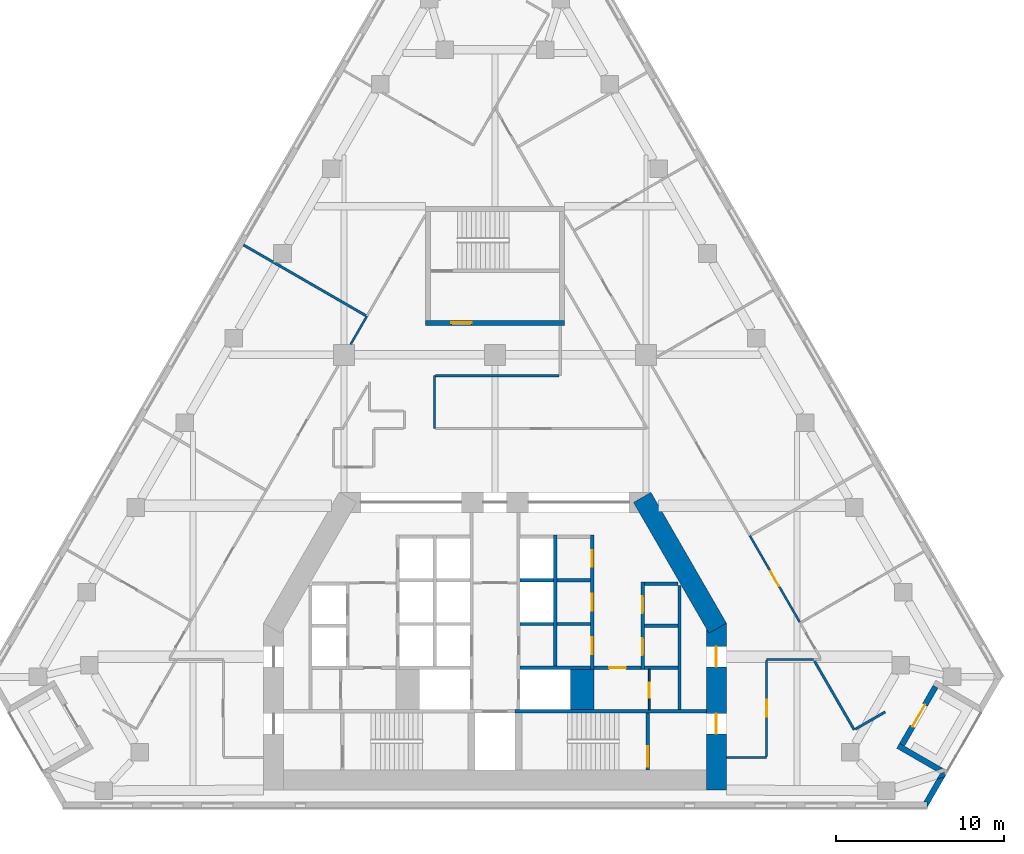
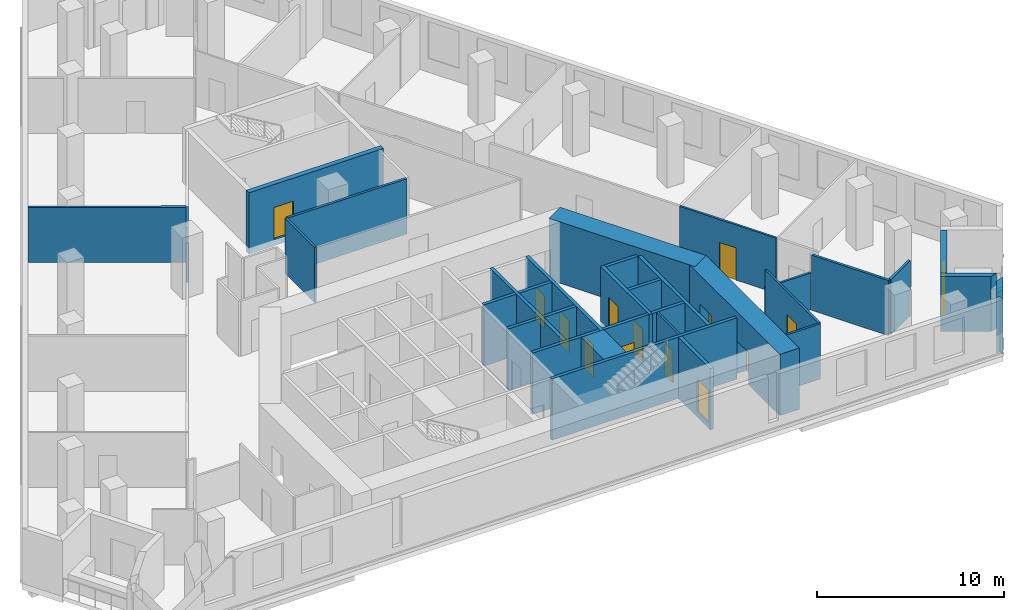
# One storey, part 6 of 10: 34 walls, 14 doors, 14 openings.
"""IFC4 building model written with IfcOpenShell, lengths in metres."""

from ifc_helpers import new_model, si_unit, direction, frame, frame_2d, origin, place, context, subcontext, project, spatial, polyline, rectangle, outline, extrude, material, layer, layer_set, type_object, element, fill, save


model = new_model("IFC4")

# Units and contexts
model_context = context("Model", 3, precision=1e-05, world=origin(), true_north=direction((0.0, 1.0)))
body_context = subcontext(model_context, "Body", "Model", "MODEL_VIEW")
ifc_project = project(units=[si_unit("LENGTHUNIT", "METRE"), si_unit("AREAUNIT", "SQUARE_METRE"), si_unit("VOLUMEUNIT", "CUBIC_METRE"), si_unit("PLANEANGLEUNIT", "RADIAN"), si_unit("MASSUNIT", "GRAM", prefix="KILO")], contexts=[model_context])

# Site, building, storey
site_placement = place(None, origin())
site = spatial("IfcSite", under=ifc_project, at=site_placement, CompositionType="ELEMENT")
building_placement = place(site_placement, origin())
building = spatial("IfcBuilding", under=site, at=building_placement, Name="Fogline Exchange Tower", CompositionType="ELEMENT")
storey_placement = place(building_placement, frame((0.0, 0.0, 108.10009765625)))
storey = spatial("IfcBuildingStorey", under=building, at=storey_placement, Name="L23", CompositionType="ELEMENT", Elevation=108.10009765625)

# Wall, opening, door
ifc_material_1 = material(Name="Blockwork partition", Category="masonry")
ifc_layer_1 = layer(ifc_material_1, 0.10009765625)
ifc_layer_set_1 = layer_set([ifc_layer_1], Name="CW10")
wall_type_1 = type_object("IfcWallType", Name="CW10", PredefinedType="PARTITIONING", material=ifc_layer_set_1)
wall_1_placement = place(storey_placement, frame((9.199951171875, 5.85009765625, 0.0), z_axis=(0.0, 0.0, 1.0), x_axis=(0.0, 1.0, 0.0)))
wall_1 = element("IfcWall", 1, at=wall_1_placement, inside=storey, type_object=wall_type_1, Name="WC partition", PredefinedType="PARTITIONING", context=body_context, shape_type="SweptSolid", body=[
    extrude(rectangle(XDim=2.39990234375, YDim=0.10009765625, at=frame_2d((1.199951171875, 0.0))), origin(), (0.0, 0.0, 1.0), 3.599853515625),
])
opening_1_placement = place(wall_1_placement, frame((0.699951171875, 0.0, 0.0)))
opening_1 = element("IfcOpeningElement", 2, at=opening_1_placement, cuts=wall_1, Name="Opening T07-C014", PredefinedType="OPENING", context=body_context, shape_type="SweptSolid", body=[
    extrude(rectangle(XDim=0.89990234375, YDim=2.10009765625, at=frame_2d((0.449951171875, 1.050048828125))), frame((0.0, 0.06005859375, 0.0), z_axis=(0.0, -1.0, 0.0), x_axis=(1.0, 0.0, 0.0)), (0.0, 0.0, 1.0), 0.1201171875),
])
ifc_material_2 = material(Name="Steel and timber fire door", Category="steel")
door_type_1 = type_object("IfcDoorType", Name="D-CS1", OperationType="SINGLE_SWING_RIGHT", PredefinedType="DOOR", material=ifc_material_2)
door_1_placement = place(opening_1_placement, frame((0.89990234375, 0.0, 0.0), z_axis=(0.0, 0.0, 1.0), x_axis=(-1.0, 0.0, 0.0)))
door_1 = element("IfcDoor", 3, at=door_1_placement, inside=storey, type_object=door_type_1, Name="Door to Cleaner's Store", OperationType="SINGLE_SWING_RIGHT", OverallHeight=2.10009765625, OverallWidth=0.89990234375, PredefinedType="DOOR", context=body_context, shape_type="SweptSolid", body=[
    extrude(rectangle(XDim=0.89990234375, YDim=2.10009765625, at=frame_2d((0.449951171875, 1.050048828125))), frame((0.0, 0.02490234375, 0.0), z_axis=(0.0, -1.0, 0.0), x_axis=(1.0, 0.0, 0.0)), (0.0, 0.0, 1.0), 0.050048828125),
])
fill(opening_1, door_1)

# Walls
ifc_material_3 = material(Name="Concrete C60", Category="concrete")
ifc_layer_2 = layer(ifc_material_3, 1.39990234375)
ifc_layer_set_2 = layer_set([ifc_layer_2], Name="CW140")
wall_type_2 = type_object("IfcWallType", Name="CW140", PredefinedType="SOLIDWALL", material=ifc_layer_set_2)
wall_2_placement = place(storey_placement, frame((5.199951171875, 5.85009765625, -0.400146484375), z_axis=(0.0, 0.0, 1.0), x_axis=(0.0, 1.0, 0.0)))
element("IfcWall", 4, at=wall_2_placement, inside=storey, type_object=wall_type_2, Name="Lift shaft block wall", PredefinedType="SOLIDWALL", context=body_context, shape_type="SweptSolid", body=[
    extrude(rectangle(XDim=2.39990234375, YDim=1.39990234375, at=frame_2d((1.199951171875, 0.0))), origin(), (0.0, 0.0, 1.0), 4.0),
])
ifc_material_4 = material(Name="Concrete C40", Category="concrete")
ifc_layer_3 = layer(ifc_material_4, 0.199951171875)
ifc_layer_set_3 = layer_set([ifc_layer_3], Name="CW20")
wall_type_3 = type_object("IfcWallType", Name="CW20", PredefinedType="SOLIDWALL", material=ifc_layer_set_3)
wall_3_placement = place(storey_placement, frame((11.0, 5.85009765625, 0.0), z_axis=(0.0, 0.0, 1.0), x_axis=(0.0, 1.0, 0.0)))
element("IfcWall", 5, at=wall_3_placement, inside=storey, type_object=wall_type_3, Name="Service room wall", PredefinedType="SOLIDWALL", context=body_context, shape_type="SweptSolid", body=[
    extrude(rectangle(XDim=7.39990234375, YDim=0.199951171875, at=frame_2d((3.699951171875, 0.0))), origin(), (0.0, 0.0, 1.0), 3.599853515625),
])

# Wall, opening, door
wall_4_placement = place(storey_placement, frame((5.89990234375, 8.35009765625, 0.0), z_axis=(0.0, 0.0, 1.0), x_axis=(1.0, 0.0, 0.0)))
wall_4 = element("IfcWall", 6, at=wall_4_placement, inside=storey, type_object=wall_type_3, Name="WC wall", PredefinedType="SOLIDWALL", context=body_context, shape_type="SweptSolid", body=[
    extrude(rectangle(XDim=2.800048828125, YDim=0.199951171875, at=frame_2d((1.39990234375, 0.0))), origin(), (0.0, 0.0, 1.0), 3.599853515625),
])
opening_2_placement = place(wall_4_placement, frame((0.89990234375, 0.0, 0.0)))
opening_2 = element("IfcOpeningElement", 7, at=opening_2_placement, cuts=wall_4, Name="Opening T07-C013", PredefinedType="OPENING", context=body_context, shape_type="SweptSolid", body=[
    extrude(rectangle(XDim=1.0, YDim=2.10009765625, at=frame_2d((0.5, 1.050048828125))), frame((0.0, 0.10986328125, 0.0), z_axis=(0.0, -1.0, 0.0), x_axis=(1.0, 0.0, 0.0)), (0.0, 0.0, 1.0), 0.219970703125),
])
door_type_2 = type_object("IfcDoorType", Name="D-WC1", OperationType="SINGLE_SWING_LEFT", PredefinedType="DOOR", material=ifc_material_2)
door_2_placement = place(opening_2_placement, frame((1.0, 0.0, 0.0), z_axis=(0.0, 0.0, 1.0), x_axis=(-1.0, 0.0, 0.0)))
door_2 = element("IfcDoor", 8, at=door_2_placement, inside=storey, type_object=door_type_2, Name="Door to Women's WC", OperationType="SINGLE_SWING_LEFT", OverallHeight=2.10009765625, OverallWidth=1.0, PredefinedType="DOOR", context=body_context, shape_type="SweptSolid", body=[
    extrude(rectangle(XDim=1.0, YDim=2.10009765625, at=frame_2d((0.5, 1.050048828125))), frame((0.0, 0.02490234375, 0.0), z_axis=(0.0, -1.0, 0.0), x_axis=(1.0, 0.0, 0.0)), (0.0, 0.0, 1.0), 0.050048828125),
])
fill(opening_2, door_2)

# Wall
ifc_layer_4 = layer(ifc_material_4, 0.199951171875)
ifc_layer_set_4 = layer_set([ifc_layer_4], Name="CW20R")
wall_type_4 = type_object("IfcWallType", Name="CW20R", PredefinedType="SOLIDWALL", material=ifc_layer_set_4)
wall_5_placement = place(storey_placement, frame((1.199951171875, 5.75, -0.400146484375), z_axis=(0.0, 0.0, 1.0), x_axis=(1.0, 0.0, 0.0)))
element("IfcWall", 9, at=wall_5_placement, inside=storey, type_object=wall_type_4, Name="Stair enclosure wall", PredefinedType="SOLIDWALL", context=body_context, shape_type="SweptSolid", body=[
    extrude(rectangle(XDim=11.400146484375, YDim=0.199951171875, at=frame_2d((5.7001953125, 0.0))), origin(), (0.0, 0.0, 1.0), 4.0),
])

# Wall, opening, door
wall_6_placement = place(storey_placement, frame((9.10009765625, 2.25, -0.400146484375), z_axis=(0.0, 0.0, 1.0), x_axis=(0.0, 1.0, 0.0)))
wall_6 = element("IfcWall", 10, at=wall_6_placement, inside=storey, type_object=wall_type_4, Name="Stair enclosure wall", PredefinedType="SOLIDWALL", context=body_context, shape_type="SweptSolid", body=[
    extrude(rectangle(XDim=3.39990234375, YDim=0.199951171875, at=frame_2d((1.699951171875, 0.0))), origin(), (0.0, 0.0, 1.0), 4.0),
])
opening_3_placement = place(wall_6_placement, frame((0.199951171875, 0.0, 0.39990234375)))
opening_3 = element("IfcOpeningElement", 11, at=opening_3_placement, cuts=wall_6, Name="Opening T07-C016", PredefinedType="OPENING", context=body_context, shape_type="SweptSolid", body=[
    extrude(rectangle(XDim=1.199951171875, YDim=2.10009765625, at=frame_2d((0.60009765625, 1.050048828125))), frame((0.0, 0.10986328125, 0.0), z_axis=(0.0, -1.0, 0.0), x_axis=(1.0, 0.0, 0.0)), (0.0, 0.0, 1.0), 0.219970703125),
])
door_type_3 = type_object("IfcDoorType", Name="D-ST1", OperationType="SINGLE_SWING_LEFT", PredefinedType="DOOR", material=ifc_material_2)
door_3_placement = place(opening_3_placement, origin())
door_3 = element("IfcDoor", 12, at=door_3_placement, inside=storey, type_object=door_type_3, Name="Stair door ST2", OperationType="SINGLE_SWING_LEFT", OverallHeight=2.10009765625, OverallWidth=1.199951171875, PredefinedType="DOOR", context=body_context, shape_type="SweptSolid", body=[
    extrude(rectangle(XDim=1.199951171875, YDim=2.10009765625, at=frame_2d((0.60009765625, 1.050048828125))), frame((0.0, 0.02490234375, 0.0), z_axis=(0.0, -1.0, 0.0), x_axis=(1.0, 0.0, 0.0)), (0.0, 0.0, 1.0), 0.050048828125),
])
fill(opening_3, door_3)

# Wall, openings, doors
ifc_layer_5 = layer(ifc_material_4, 0.199951171875)
ifc_layer_set_5 = layer_set([ifc_layer_5], Name="CW20S")
wall_type_5 = type_object("IfcWallType", Name="CW20S", PredefinedType="SOLIDWALL", material=ifc_layer_set_5)
wall_7_placement = place(storey_placement, frame((8.800048828125, 8.25, -0.400146484375), z_axis=(0.0, 0.0, 1.0), x_axis=(0.0, 1.0, 0.0)))
wall_7 = element("IfcWall", 13, at=wall_7_placement, inside=storey, type_object=wall_type_5, Name="Lift shaft wall", PredefinedType="SOLIDWALL", context=body_context, shape_type="SweptSolid", body=[
    extrude(rectangle(XDim=5.199951171875, YDim=0.199951171875, at=frame_2d((2.60009765625, 0.0))), origin(), (0.0, 0.0, 1.0), 4.0),
])
opening_4_placement = place(wall_7_placement, frame((0.85009765625, 0.0, 0.39990234375)))
opening_4 = element("IfcOpeningElement", 14, at=opening_4_placement, cuts=wall_7, Name="Opening T07-C001", PredefinedType="OPENING", context=body_context, shape_type="SweptSolid", body=[
    extrude(rectangle(XDim=1.0, YDim=2.10009765625, at=frame_2d((0.5, 1.050048828125))), frame((0.0, 0.10986328125, 0.0), z_axis=(0.0, -1.0, 0.0), x_axis=(1.0, 0.0, 0.0)), (0.0, 0.0, 1.0), 0.219970703125),
])
opening_5_placement = place(wall_7_placement, frame((3.35009765625, 0.0, 0.39990234375)))
opening_5 = element("IfcOpeningElement", 15, at=opening_5_placement, cuts=wall_7, Name="Opening T07-C002", PredefinedType="OPENING", context=body_context, shape_type="SweptSolid", body=[
    extrude(rectangle(XDim=1.0, YDim=2.10009765625, at=frame_2d((0.5, 1.050048828125))), frame((0.0, 0.10986328125, 0.0), z_axis=(0.0, -1.0, 0.0), x_axis=(1.0, 0.0, 0.0)), (0.0, 0.0, 1.0), 0.219970703125),
])
door_type_4 = type_object("IfcDoorType", Name="D-RM1", OperationType="SINGLE_SWING_LEFT", PredefinedType="DOOR", material=ifc_material_2)
door_4_placement = place(opening_4_placement, frame((1.0, 0.0, 0.0), z_axis=(0.0, 0.0, 1.0), x_axis=(-1.0, 0.0, 0.0)))
door_4 = element("IfcDoor", 16, at=door_4_placement, inside=storey, type_object=door_type_4, Name="Door to Stationery Store", OperationType="SINGLE_SWING_LEFT", OverallHeight=2.10009765625, OverallWidth=1.0, PredefinedType="DOOR", context=body_context, shape_type="SweptSolid", body=[
    extrude(rectangle(XDim=1.0, YDim=2.10009765625, at=frame_2d((0.5, 1.050048828125))), frame((0.0, 0.02490234375, 0.0), z_axis=(0.0, -1.0, 0.0), x_axis=(1.0, 0.0, 0.0)), (0.0, 0.0, 1.0), 0.050048828125),
])
fill(opening_4, door_4)
door_5_placement = place(opening_5_placement, frame((1.0, 0.0, 0.0), z_axis=(0.0, 0.0, 1.0), x_axis=(-1.0, 0.0, 0.0)))
door_5 = element("IfcDoor", 17, at=door_5_placement, inside=storey, type_object=door_type_4, Name="Door to Records Store", OperationType="SINGLE_SWING_LEFT", OverallHeight=2.10009765625, OverallWidth=1.0, PredefinedType="DOOR", context=body_context, shape_type="SweptSolid", body=[
    extrude(rectangle(XDim=1.0, YDim=2.10009765625, at=frame_2d((0.5, 1.050048828125))), frame((0.0, 0.02490234375, 0.0), z_axis=(0.0, -1.0, 0.0), x_axis=(1.0, 0.0, 0.0)), (0.0, 0.0, 1.0), 0.050048828125),
])
fill(opening_5, door_5)

wall_8_placement = place(storey_placement, frame((5.800048828125, 8.25, -0.400146484375), z_axis=(0.0, 0.0, 1.0), x_axis=(0.0, 1.0, 0.0)))
wall_8 = element("IfcWall", 18, at=wall_8_placement, inside=storey, type_object=wall_type_5, Name="Lift shaft wall", PredefinedType="SOLIDWALL", context=body_context, shape_type="SweptSolid", body=[
    extrude(rectangle(XDim=8.0, YDim=0.199951171875, at=frame_2d((4.0, 0.0))), origin(), (0.0, 0.0, 1.0), 4.0),
])
opening_6_placement = place(wall_8_placement, frame((0.89990234375, 0.0, 0.39990234375)))
opening_6 = element("IfcOpeningElement", 19, at=opening_6_placement, cuts=wall_8, Name="Opening T07-C003", PredefinedType="OPENING", context=body_context, shape_type="SweptSolid", body=[
    extrude(rectangle(XDim=1.0, YDim=2.10009765625, at=frame_2d((0.5, 1.050048828125))), frame((0.0, 0.10986328125, 0.0), z_axis=(0.0, -1.0, 0.0), x_axis=(1.0, 0.0, 0.0)), (0.0, 0.0, 1.0), 0.219970703125),
])
opening_7_placement = place(wall_8_placement, frame((3.5, 0.0, 0.39990234375)))
opening_7 = element("IfcOpeningElement", 20, at=opening_7_placement, cuts=wall_8, Name="Opening T07-C004", PredefinedType="OPENING", context=body_context, shape_type="SweptSolid", body=[
    extrude(rectangle(XDim=1.0, YDim=2.10009765625, at=frame_2d((0.5, 1.050048828125))), frame((0.0, 0.10986328125, 0.0), z_axis=(0.0, -1.0, 0.0), x_axis=(1.0, 0.0, 0.0)), (0.0, 0.0, 1.0), 0.219970703125),
])
opening_8_placement = place(wall_8_placement, frame((6.10009765625, 0.0, 0.39990234375)))
opening_8 = element("IfcOpeningElement", 21, at=opening_8_placement, cuts=wall_8, Name="Opening T07-C005", PredefinedType="OPENING", context=body_context, shape_type="SweptSolid", body=[
    extrude(rectangle(XDim=1.0, YDim=2.10009765625, at=frame_2d((0.5, 1.050048828125))), frame((0.0, 0.10986328125, 0.0), z_axis=(0.0, -1.0, 0.0), x_axis=(1.0, 0.0, 0.0)), (0.0, 0.0, 1.0), 0.219970703125),
])
door_6_placement = place(opening_6_placement, origin())
door_6 = element("IfcDoor", 22, at=door_6_placement, inside=storey, type_object=door_type_4, Name="Door to Riser Room", OperationType="SINGLE_SWING_RIGHT", OverallHeight=2.10009765625, OverallWidth=1.0, PredefinedType="DOOR", context=body_context, shape_type="SweptSolid", body=[
    extrude(rectangle(XDim=1.0, YDim=2.10009765625, at=frame_2d((0.5, 1.050048828125))), frame((0.0, 0.02490234375, 0.0), z_axis=(0.0, -1.0, 0.0), x_axis=(1.0, 0.0, 0.0)), (0.0, 0.0, 1.0), 0.050048828125),
])
fill(opening_6, door_6)
door_7_placement = place(opening_7_placement, origin())
door_7 = element("IfcDoor", 23, at=door_7_placement, inside=storey, type_object=door_type_4, Name="Door to Plant Room", OperationType="SINGLE_SWING_LEFT", OverallHeight=2.10009765625, OverallWidth=1.0, PredefinedType="DOOR", context=body_context, shape_type="SweptSolid", body=[
    extrude(rectangle(XDim=1.0, YDim=2.10009765625, at=frame_2d((0.5, 1.050048828125))), frame((0.0, 0.02490234375, 0.0), z_axis=(0.0, -1.0, 0.0), x_axis=(1.0, 0.0, 0.0)), (0.0, 0.0, 1.0), 0.050048828125),
])
fill(opening_7, door_7)
door_8_placement = place(opening_8_placement, origin())
door_8 = element("IfcDoor", 24, at=door_8_placement, inside=storey, type_object=door_type_4, Name="Door to Cable Store", OperationType="SINGLE_SWING_LEFT", OverallHeight=2.10009765625, OverallWidth=1.0, PredefinedType="DOOR", context=body_context, shape_type="SweptSolid", body=[
    extrude(rectangle(XDim=1.0, YDim=2.10009765625, at=frame_2d((0.5, 1.050048828125))), frame((0.0, 0.02490234375, 0.0), z_axis=(0.0, -1.0, 0.0), x_axis=(1.0, 0.0, 0.0)), (0.0, 0.0, 1.0), 0.050048828125),
])
fill(opening_8, door_8)

# Walls
wall_9_placement = place(storey_placement, frame((3.60009765625, 8.449951171875, -0.400146484375), z_axis=(0.0, 0.0, 1.0), x_axis=(0.0, 1.0, 0.0)))
element("IfcWall", 25, at=wall_9_placement, inside=storey, type_object=wall_type_5, Name="Lift shaft wall", PredefinedType="SOLIDWALL", context=body_context, shape_type="SweptSolid", body=[
    extrude(rectangle(XDim=7.800048828125, YDim=0.199951171875, at=frame_2d((3.89990234375, 0.0))), origin(), (0.0, 0.0, 1.0), 4.0),
])
wall_10_placement = place(storey_placement, frame((8.89990234375, 8.35009765625, -0.400146484375), z_axis=(0.0, 0.0, 1.0), x_axis=(1.0, 0.0, 0.0)))
element("IfcWall", 26, at=wall_10_placement, inside=storey, type_object=wall_type_5, Name="Lift shaft wall", PredefinedType="SOLIDWALL", context=body_context, shape_type="SweptSolid", body=[
    extrude(rectangle(XDim=2.0, YDim=0.199951171875, at=frame_2d((1.0, 0.0))), origin(), (0.0, 0.0, 1.0), 4.0),
])
wall_11_placement = place(storey_placement, frame((1.5, 8.35009765625, -0.400146484375), z_axis=(0.0, 0.0, 1.0), x_axis=(1.0, 0.0, 0.0)))
element("IfcWall", 27, at=wall_11_placement, inside=storey, type_object=wall_type_5, Name="Lift shaft wall", PredefinedType="SOLIDWALL", context=body_context, shape_type="SweptSolid", body=[
    extrude(rectangle(XDim=4.199951171875, YDim=0.199951171875, at=frame_2d((2.10009765625, 0.0))), origin(), (0.0, 0.0, 1.0), 4.0),
])
for number, where, z_axis, x_axis, name in (
    (28, (8.89990234375, 10.85009765625, -0.400146484375), (0.0, 0.0, 1.0), (1.0, 0.0, 0.0), "Lift shaft wall"),
    (29, (8.89990234375, 13.35009765625, -0.400146484375), (0.0, 0.0, 1.0), (1.0, 0.0, 0.0), "Lift shaft wall"),
    (30, (3.699951171875, 10.949951171875, -0.400146484375), (0.0, 0.0, 1.0), (1.0, 0.0, 0.0), "Lift shaft wall"),
    (31, (3.699951171875, 13.550048828125, -0.400146484375), (0.0, 0.0, 1.0), (1.0, 0.0, 0.0), "Lift shaft wall"),
    (32, (1.5, 10.949951171875, -0.400146484375), (0.0, 0.0, 1.0), (1.0, 0.0, 0.0), "Lift shaft wall"),
    (33, (1.5, 13.550048828125, -0.400146484375), (0.0, 0.0, 1.0), (1.0, 0.0, 0.0), "Lift shaft wall"),
):
    element("IfcWall", number, at=place(storey_placement, frame(where, z_axis=z_axis, x_axis=x_axis)), inside=storey, type_object=wall_type_5, Name=name, PredefinedType="SOLIDWALL", context=body_context, shape_type="SweptSolid", body=[
        extrude(rectangle(XDim=2.0, YDim=0.199951171875, at=frame_2d((1.0, 0.0))), origin(), (0.0, 0.0, 1.0), 4.0),
    ])

# Wall, opening, door
ifc_layer_6 = layer(ifc_material_4, 0.300048828125)
ifc_layer_set_6 = layer_set([ifc_layer_6], Name="CW30")
wall_type_6 = type_object("IfcWallType", Name="CW30", PredefinedType="SOLIDWALL", material=ifc_layer_set_6)
wall_12_placement = place(storey_placement, frame((-4.14990234375, 28.906982421875, -0.400146484375), z_axis=(0.0, 0.0, 1.0), x_axis=(1.0, 0.0, 0.0)))
wall_12 = element("IfcWall", 34, at=wall_12_placement, inside=storey, type_object=wall_type_6, Name="Stair enclosure wall ST3", PredefinedType="SOLIDWALL", context=body_context, shape_type="SweptSolid", body=[
    extrude(rectangle(XDim=8.2998046875, YDim=0.300048828125, at=frame_2d((4.14990234375, 0.0))), origin(), (0.0, 0.0, 1.0), 4.0),
])
opening_9_placement = place(wall_12_placement, frame((1.550048828125, 0.0, 0.39990234375)))
opening_9 = element("IfcOpeningElement", 35, at=opening_9_placement, cuts=wall_12, Name="Opening T07-C022", PredefinedType="OPENING", context=body_context, shape_type="SweptSolid", body=[
    extrude(rectangle(XDim=1.199951171875, YDim=2.10009765625, at=frame_2d((0.60009765625, 1.050048828125))), frame((0.0, 0.16015625, 0.0), z_axis=(0.0, -1.0, 0.0), x_axis=(1.0, 0.0, 0.0)), (0.0, 0.0, 1.0), 0.320068359375),
])
door_type_5 = type_object("IfcDoorType", Name="D-FR1", OperationType="SINGLE_SWING_RIGHT", PredefinedType="DOOR", material=ifc_material_2)
door_9_placement = place(opening_9_placement, origin())
door_9 = element("IfcDoor", 36, at=door_9_placement, inside=storey, type_object=door_type_5, Name="Front room door ST3", OperationType="SINGLE_SWING_LEFT", OverallHeight=2.10009765625, OverallWidth=1.199951171875, PredefinedType="DOOR", context=body_context, shape_type="SweptSolid", body=[
    extrude(rectangle(XDim=1.199951171875, YDim=2.10009765625, at=frame_2d((0.60009765625, 1.050048828125))), frame((0.0, 0.02490234375, 0.0), z_axis=(0.0, -1.0, 0.0), x_axis=(1.0, 0.0, 0.0)), (0.0, 0.0, 1.0), 0.050048828125),
])
fill(opening_9, door_9)

# Walls
ifc_material_5 = material(Name="Brick masonry", Category="masonry")
ifc_layer_7 = layer(ifc_material_5, 0.340087890625)
ifc_layer_set_7 = layer_set([ifc_layer_7], Name="FW1")
wall_type_7 = type_object("IfcWallType", Name="FW1", PredefinedType="SOLIDWALL", material=ifc_layer_set_7)
wall_13_placement = place(storey_placement, origin())
element("IfcWall", 37, at=wall_13_placement, inside=storey, type_object=wall_type_7, Name="Brick wall L23 SE-c1", PredefinedType="SOLIDWALL", context=body_context, shape_type="SweptSolid", body=[
    extrude(outline(polyline([(26.83203125, 1.845703125), (26.35009765625, 1.693359375), (26.55078125, 2.041015625), (26.81298828125, 2.111328125), (26.8740234375, 1.91845703125), (26.83203125, 1.845703125)])), origin(), (0.0, 0.0, 1.0), 2.7998046875),
])
wall_14_placement = place(storey_placement, origin())
element("IfcWall", 38, at=wall_14_placement, inside=storey, type_object=wall_type_7, Name="Brick wall L23 SE-c1", PredefinedType="SOLIDWALL", context=body_context, shape_type="SweptSolid", body=[
    extrude(outline(polyline([(25.765625, -0.001220703125), (25.76513671875, -0.0009765625), (25.76513671875, 0.33935546875), (25.568359375, 0.33935546875), (26.35009765625, 1.693359375), (26.83203125, 1.845703125), (25.765625, -0.001220703125)])), origin(), (0.0, 0.0, 1.0), 3.599853515625),
])
wall_15_placement = place(storey_placement, origin())
element("IfcWall", 39, at=wall_15_placement, inside=storey, type_object=wall_type_7, Name="Brick wall L23 SE-s1", PredefinedType="SOLIDWALL", context=body_context, shape_type="SweptSolid", body=[
    extrude(outline(polyline([(24.122802734375, 3.8359375), (24.41796875, 3.66552734375), (26.721923828125, 2.33544921875), (26.281005859375, 2.196044921875), (23.952392578125, 3.540283203125), (24.122802734375, 3.8359375)])), origin(), (0.0, 0.0, 1.0), 3.599853515625),
])

# Wall, opening, door
wall_16_placement = place(storey_placement, frame((24.270263671875, 3.75, 0.0), z_axis=(0.0, 0.0, 1.0), x_axis=(0.49999894854, 0.866026010844, 0.0)))
wall_16 = element("IfcWall", 40, at=wall_16_placement, inside=storey, type_object=wall_type_7, Name="Brick wall L23 SE-bk", PredefinedType="SOLIDWALL", context=body_context, shape_type="SweptSolid", body=[
    extrude(rectangle(XDim=4.0, YDim=0.340087890625, at=frame_2d((2.0, 0.0))), origin(), (0.0, 0.0, 1.0), 3.599853515625),
])
opening_10_placement = place(wall_16_placement, frame((1.25, 0.0, 0.0)))
opening_10 = element("IfcOpeningElement", 41, at=opening_10_placement, cuts=wall_16, Name="Opening T07-E081", PredefinedType="OPENING", context=body_context, shape_type="SweptSolid", body=[
    extrude(rectangle(XDim=1.5, YDim=2.39990234375, at=frame_2d((0.75, 1.199951171875))), frame((0.0, 0.18017578125, 0.0), z_axis=(0.0, -1.0, 0.0), x_axis=(1.0, 0.0, 0.0)), (0.0, 0.0, 1.0), 0.360107421875),
])
ifc_material_6 = material(Name="Aluminium and glass", Category="aluminium")
door_type_6 = type_object("IfcDoorType", Name="ED4", OperationType="SINGLE_SWING_LEFT", PredefinedType="DOOR", material=ifc_material_6)
door_10_placement = place(opening_10_placement, frame((1.5, 0.0, 0.0), z_axis=(0.0, 0.0, 1.0), x_axis=(-1.0, 0.0, 0.0)))
door_10 = element("IfcDoor", 42, at=door_10_placement, inside=storey, type_object=door_type_6, Name="Balcony door L23 SE", OperationType="DOUBLE_DOOR_SINGLE_SWING", OverallHeight=2.39990234375, OverallWidth=1.5, PredefinedType="DOOR", context=body_context, shape_type="SweptSolid", body=[
    extrude(rectangle(XDim=1.5, YDim=2.39990234375, at=frame_2d((0.75, 1.199951171875))), frame((0.0, 0.02490234375, 0.0), z_axis=(0.0, -1.0, 0.0), x_axis=(1.0, 0.0, 0.0)), (0.0, 0.0, 1.0), 0.050048828125),
])
fill(opening_10, door_10)

ifc_material_7 = material(Name="Plasterboard corridor partition with mineral wool, 2 layers each side")
ifc_layer_8 = layer(ifc_material_7, 0.125)
ifc_layer_set_8 = layer_set([ifc_layer_8], Name="PW2")
wall_type_8 = type_object("IfcWallType", Name="PW2", PredefinedType="PARTITIONING", material=ifc_layer_set_8)
wall_17_placement = place(storey_placement, frame((16.199951171875, 8.777587890625, 0.0), z_axis=(0.0, 0.0, 1.0), x_axis=(0.0, -1.0, 0.0)))
wall_17 = element("IfcWall", 43, at=wall_17_placement, inside=storey, type_object=wall_type_8, Name="wall-L23-W001", PredefinedType="PARTITIONING", context=body_context, shape_type="SweptSolid", body=[
    extrude(rectangle(XDim=5.715087890625, YDim=0.125, at=frame_2d((2.857421875, 0.0))), origin(), (0.0, 0.0, 1.0), 3.599853515625),
])
opening_11_placement = place(wall_17_placement, frame((2.357421875, 0.0, 0.0)))
opening_11 = element("IfcOpeningElement", 44, at=opening_11_placement, cuts=wall_17, Name="Opening T07-D001", PredefinedType="OPENING", context=body_context, shape_type="SweptSolid", body=[
    extrude(rectangle(XDim=1.0, YDim=2.10009765625, at=frame_2d((0.5, 1.050048828125))), frame((0.0, 0.072509765625, 0.0), z_axis=(0.0, -1.0, 0.0), x_axis=(1.0, 0.0, 0.0)), (0.0, 0.0, 1.0), 0.14501953125),
])
ifc_material_8 = material(Name="Fire-rated timber door leaf with steel frame", Category="steel")
door_type_7 = type_object("IfcDoorType", Name="D3", OperationType="SINGLE_SWING_LEFT", PredefinedType="DOOR", material=ifc_material_8)
door_11_placement = place(opening_11_placement, origin())
door_11 = element("IfcDoor", 45, at=door_11_placement, inside=storey, type_object=door_type_7, Name="door-L23-D001", OperationType="SINGLE_SWING_LEFT", OverallHeight=2.10009765625, OverallWidth=1.0, PredefinedType="DOOR", context=body_context, shape_type="SweptSolid", body=[
    extrude(rectangle(XDim=1.0, YDim=2.10009765625, at=frame_2d((0.5, 1.050048828125))), frame((0.0, 0.02490234375, 0.0), z_axis=(0.0, -1.0, 0.0), x_axis=(1.0, 0.0, 0.0)), (0.0, 0.0, 1.0), 0.050048828125),
])
fill(opening_11, door_11)

# Walls
wall_18_placement = place(storey_placement, frame((16.199951171875, 3.0, 0.0), z_axis=(0.0, 0.0, 1.0), x_axis=(-1.0, 0.0, 0.0)))
element("IfcWall", 46, at=wall_18_placement, inside=storey, type_object=wall_type_8, Name="wall-L23-W002", PredefinedType="PARTITIONING", context=body_context, shape_type="SweptSolid", body=[
    extrude(rectangle(XDim=2.39990234375, YDim=0.125, at=frame_2d((1.199951171875, 0.0))), origin(), (0.0, 0.0, 1.0), 3.599853515625),
])
wall_19_placement = place(storey_placement, frame((-8.60888671875, 27.625, 0.0), z_axis=(0.0, 0.0, 1.0), x_axis=(0.500027802648, 0.866009351323, 0.0)))
element("IfcWall", 47, at=wall_19_placement, inside=storey, type_object=wall_type_8, Name="wall-L23-W012", PredefinedType="PARTITIONING", context=body_context, shape_type="SweptSolid", body=[
    extrude(rectangle(XDim=1.93798828125, YDim=0.125, at=frame_2d((0.968994140625, 0.0))), origin(), (0.0, 0.0, 1.0), 3.599853515625),
])
wall_20_placement = place(storey_placement, frame((18.992431640625, 8.840087890625, 0.0), z_axis=(0.0, 0.0, 1.0), x_axis=(-1.0, 0.0, 0.0)))
element("IfcWall", 48, at=wall_20_placement, inside=storey, type_object=wall_type_8, Name="wall-L23-W025", PredefinedType="PARTITIONING", context=body_context, shape_type="SweptSolid", body=[
    extrude(rectangle(XDim=2.79248046875, YDim=0.125, at=frame_2d((1.396240234375, 0.0))), origin(), (0.0, 0.0, 1.0), 2.39990234375),
])

# Wall, opening, door
wall_21_placement = place(storey_placement, frame((15.197265625, 16.21337890625, 0.0), z_axis=(0.0, 0.0, 1.0), x_axis=(0.500000694566, -0.866025002776, 0.0)))
wall_21 = element("IfcWall", 49, at=wall_21_placement, inside=storey, type_object=wall_type_8, Name="wall-L23-W028", PredefinedType="PARTITIONING", context=body_context, shape_type="SweptSolid", body=[
    extrude(rectangle(XDim=5.94970703125, YDim=0.125, at=frame_2d((2.974853515625, 0.0))), origin(), (0.0, 0.0, 1.0), 3.599853515625),
])
opening_12_placement = place(wall_21_placement, frame((2.474609375, 0.0, 0.0)))
opening_12 = element("IfcOpeningElement", 50, at=opening_12_placement, cuts=wall_21, Name="Opening T07-D012", PredefinedType="OPENING", context=body_context, shape_type="SweptSolid", body=[
    extrude(rectangle(XDim=1.0, YDim=2.10009765625, at=frame_2d((0.5, 1.050048828125))), frame((0.0, 0.072509765625, 0.0), z_axis=(0.0, -1.0, 0.0), x_axis=(1.0, 0.0, 0.0)), (0.0, 0.0, 1.0), 0.14501953125),
])
door_12_placement = place(opening_12_placement, origin())
door_12 = element("IfcDoor", 51, at=door_12_placement, inside=storey, type_object=door_type_7, Name="door-L23-D012", OperationType="SINGLE_SWING_LEFT", OverallHeight=2.10009765625, OverallWidth=1.0, PredefinedType="DOOR", context=body_context, shape_type="SweptSolid", body=[
    extrude(rectangle(XDim=1.0, YDim=2.10009765625, at=frame_2d((0.5, 1.050048828125))), frame((0.0, 0.02490234375, 0.0), z_axis=(0.0, -1.0, 0.0), x_axis=(1.0, 0.0, 0.0)), (0.0, 0.0, 1.0), 0.050048828125),
])
fill(opening_12, door_12)

# Walls
wall_22_placement = place(storey_placement, frame((-3.60009765625, 25.757080078125, 0.0), z_axis=(0.0, 0.0, 1.0), x_axis=(0.0, -1.0, 0.0)))
element("IfcWall", 52, at=wall_22_placement, inside=storey, type_object=wall_type_8, Name="wall-L23-W031", PredefinedType="PARTITIONING", context=body_context, shape_type="SweptSolid", body=[
    extrude(rectangle(XDim=3.156982421875, YDim=0.125, at=frame_2d((1.57861328125, 0.0))), origin(), (0.0, 0.0, 1.0), 3.599853515625),
])
ifc_material_9 = material(Name="Plasterboard demising partition with mineral wool and acoustic board")
ifc_layer_9 = layer(ifc_material_9, 0.14990234375)
ifc_layer_set_9 = layer_set([ifc_layer_9], Name="PW3")
wall_type_9 = type_object("IfcWallType", Name="PW3", PredefinedType="PARTITIONING", material=ifc_layer_set_9)
wall_23_placement = place(storey_placement, frame((-7.69384765625, 29.334716796875, 0.0), z_axis=(0.0, 0.0, 1.0), x_axis=(-0.866039105107, 0.499976267863, 0.0)))
element("IfcWall", 53, at=wall_23_placement, inside=storey, type_object=wall_type_9, Name="wall-L23-W046", PredefinedType="PARTITIONING", context=body_context, shape_type="SweptSolid", body=[
    extrude(rectangle(XDim=8.4375, YDim=0.14990234375, at=frame_2d((4.21875, 0.0))), origin(), (0.0, 0.0, 1.0), 3.599853515625),
])
wall_24_placement = place(storey_placement, frame((19.05029296875, 8.739501953125, 0.0), z_axis=(0.0, 0.0, 1.0), x_axis=(0.500031897912, -0.866006986733, 0.0)))
element("IfcWall", 54, at=wall_24_placement, inside=storey, type_object=wall_type_9, Name="wall-L23-W051", PredefinedType="PARTITIONING", context=body_context, shape_type="SweptSolid", body=[
    extrude(rectangle(XDim=4.735107421875, YDim=0.14990234375, at=frame_2d((2.36767578125, 0.0))), origin(), (0.0, 0.0, 1.0), 3.599853515625),
])
wall_25_placement = place(storey_placement, frame((21.48291015625, 4.676513671875, 0.0), z_axis=(0.0, 0.0, 1.0), x_axis=(0.866022127522, 0.500005674609, 0.0)))
element("IfcWall", 55, at=wall_25_placement, inside=storey, type_object=wall_type_9, Name="wall-L23-W052", PredefinedType="PARTITIONING", context=body_context, shape_type="SweptSolid", body=[
    extrude(rectangle(XDim=2.064453125, YDim=0.14990234375, at=frame_2d((1.0322265625, 0.0))), origin(), (0.0, 0.0, 1.0), 3.599853515625),
])
ifc_material_10 = material(Name="Plasterboard stair lobby partition, 3 layers each side on steel studs", Category="steel")
ifc_layer_10 = layer(ifc_material_10, 0.14990234375)
ifc_layer_set_10 = layer_set([ifc_layer_10], Name="PW4")
wall_type_10 = type_object("IfcWallType", Name="PW4", PredefinedType="PARTITIONING", material=ifc_layer_set_10)
wall_26_placement = place(storey_placement, frame((3.824951171875, 25.757080078125, 0.0), z_axis=(0.0, 0.0, 1.0), x_axis=(-1.0, 0.0, 0.0)))
element("IfcWall", 56, at=wall_26_placement, inside=storey, type_object=wall_type_10, Name="wall-L23-W020", PredefinedType="PARTITIONING", context=body_context, shape_type="SweptSolid", body=[
    extrude(rectangle(XDim=7.362548828125, YDim=0.14990234375, at=frame_2d((3.68115234375, 0.0))), origin(), (0.0, 0.0, 1.0), 3.599853515625),
])

# Wall, openings, doors
ifc_layer_11 = layer(ifc_material_3, 1.199951171875)
ifc_layer_set_11 = layer_set([ifc_layer_11], Name="SW02")
wall_type_11 = type_object("IfcWallType", Name="SW02", PredefinedType="SHEAR", material=ifc_layer_set_11)
wall_27_placement = place(storey_placement, frame((13.199951171875, 1.050048828125, 0.0), z_axis=(0.0, 0.0, 1.0), x_axis=(0.0, 1.0, 0.0)))
wall_27 = element("IfcWall", 57, at=wall_27_placement, inside=storey, type_object=wall_type_11, Name="L23-W902", PredefinedType="SHEAR", context=body_context, shape_type="SweptSolid", body=[
    extrude(rectangle(XDim=9.948974609375, YDim=1.199951171875, at=frame_2d((4.974609375, 0.0))), origin(), (0.0, 0.0, 1.0), 4.0),
])
opening_13_placement = place(wall_27_placement, frame((3.35009765625, 0.0, 0.0)))
opening_13 = element("IfcOpeningElement", 58, at=opening_13_placement, cuts=wall_27, Name="Opening T07-C015", PredefinedType="OPENING", context=body_context, shape_type="SweptSolid", body=[
    extrude(rectangle(XDim=1.199951171875, YDim=2.10009765625, at=frame_2d((0.60009765625, 1.050048828125))), frame((0.0, 0.60986328125, 0.0), z_axis=(0.0, -1.0, 0.0), x_axis=(1.0, 0.0, 0.0)), (0.0, 0.0, 1.0), 1.219970703125),
])
opening_14_placement = place(wall_27_placement, frame((7.35009765625, 0.0, 0.0)))
opening_14 = element("IfcOpeningElement", 59, at=opening_14_placement, cuts=wall_27, Name="Opening T07-C017", PredefinedType="OPENING", context=body_context, shape_type="SweptSolid", body=[
    extrude(rectangle(XDim=1.199951171875, YDim=2.10009765625, at=frame_2d((0.60009765625, 1.050048828125))), frame((0.0, 0.60986328125, 0.0), z_axis=(0.0, -1.0, 0.0), x_axis=(1.0, 0.0, 0.0)), (0.0, 0.0, 1.0), 1.219970703125),
])
door_13_placement = place(opening_13_placement, origin())
door_13 = element("IfcDoor", 60, at=door_13_placement, inside=storey, type_object=door_type_5, Name="Front room door ST2", OperationType="SINGLE_SWING_RIGHT", OverallHeight=2.10009765625, OverallWidth=1.199951171875, PredefinedType="DOOR", context=body_context, shape_type="SweptSolid", body=[
    extrude(rectangle(XDim=1.199951171875, YDim=2.10009765625, at=frame_2d((0.60009765625, 1.050048828125))), frame((0.0, 0.02490234375, 0.0), z_axis=(0.0, -1.0, 0.0), x_axis=(1.0, 0.0, 0.0)), (0.0, 0.0, 1.0), 0.050048828125),
])
fill(opening_13, door_13)
door_type_8 = type_object("IfcDoorType", Name="D-SV1", OperationType="SINGLE_SWING_LEFT", PredefinedType="DOOR", material=ifc_material_2)
door_14_placement = place(opening_14_placement, origin())
door_14 = element("IfcDoor", 61, at=door_14_placement, inside=storey, type_object=door_type_8, Name="Service door E", OperationType="SINGLE_SWING_RIGHT", OverallHeight=2.10009765625, OverallWidth=1.199951171875, PredefinedType="DOOR", context=body_context, shape_type="SweptSolid", body=[
    extrude(rectangle(XDim=1.199951171875, YDim=2.10009765625, at=frame_2d((0.60009765625, 1.050048828125))), frame((0.0, 0.02490234375, 0.0), z_axis=(0.0, -1.0, 0.0), x_axis=(1.0, 0.0, 0.0)), (0.0, 0.0, 1.0), 0.050048828125),
])
fill(opening_14, door_14)

# Wall
wall_28_placement = place(storey_placement, frame((13.280517578125, 10.698974609375, 0.0), z_axis=(0.0, 0.0, 1.0), x_axis=(-0.499998513025, 0.866026262288, 0.0)))
element("IfcWall", 62, at=wall_28_placement, inside=storey, type_object=wall_type_11, Name="L23-W903", PredefinedType="SHEAR", context=body_context, shape_type="SweptSolid", body=[
    extrude(rectangle(XDim=9.0078125, YDim=1.199951171875, at=frame_2d((4.50390625, 0.0))), origin(), (0.0, 0.0, 1.0), 4.0),
])

save(model, "model.ifc")
